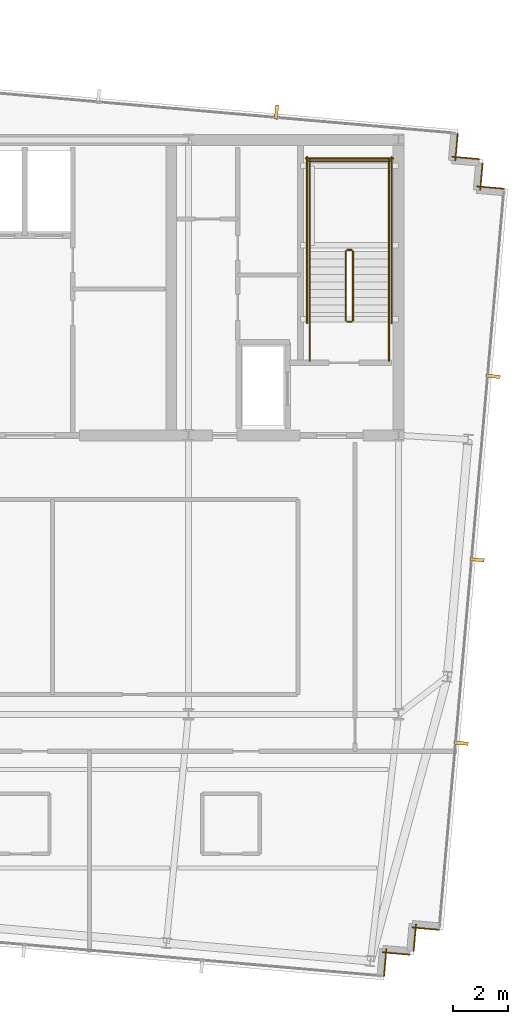
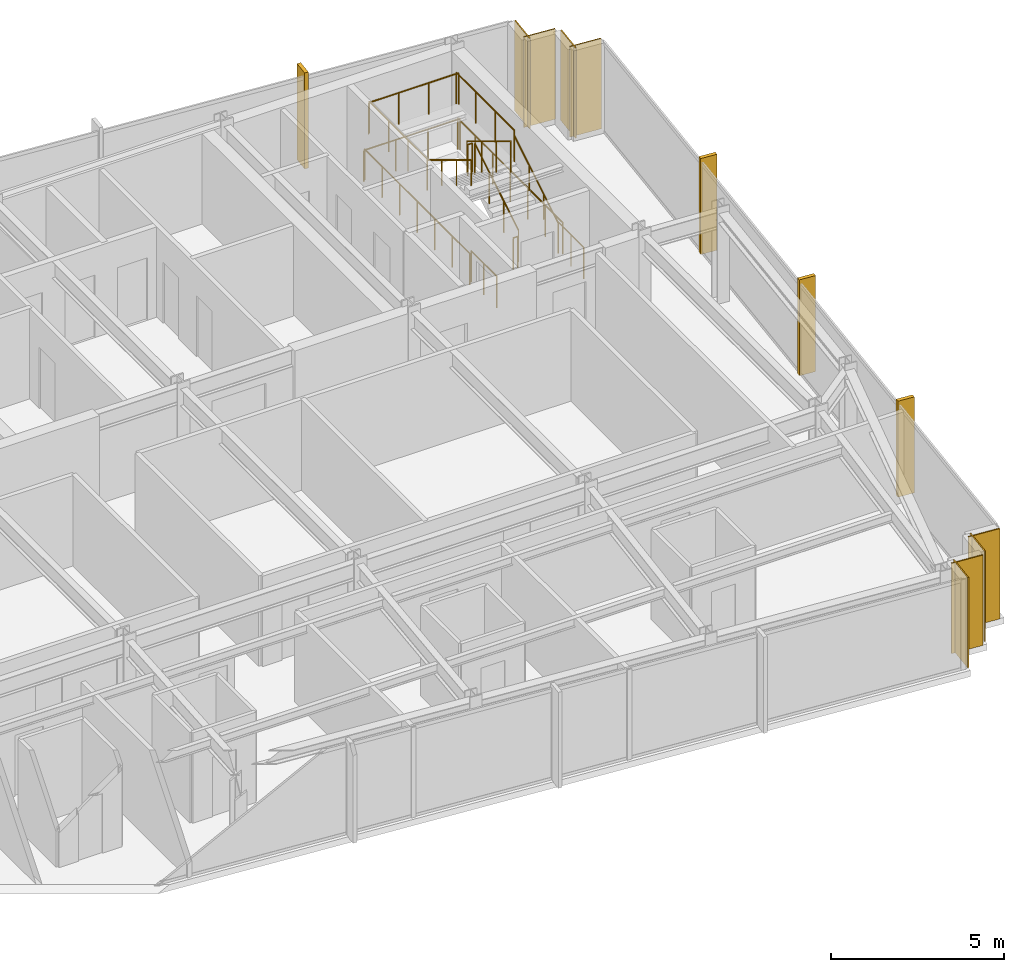
# One storey, part 32 of 33: 14 railings, 8 coverings, 4 shading devices.
"""IFC4 building model written with IfcOpenShell, lengths in metres."""

import ifcopenshell
import ifcopenshell.guid

model = None  # the IFC model being written
_history = None  # IfcOwnerHistory: only IFC2X3 demands one
_inside = {}  # id of a spatial element -> (the spatial element, [elements in it])
_under = {}  # id of a project, library or spatial element -> (it, [spatial elements below it])
_declared = {}  # id of a project -> (the project, [libraries it declares])
_typed = {}  # id of a type object -> (the type object, [elements of that type])
_made_of = {}  # id of a material, layer set ... -> (it, [elements and type objects made of it])


def new_model(schema):
    """Start an empty IFC model of exactly this schema.

    Asked for "IFC4X3", IfcOpenShell would pick the latest addendum, in which some entities
    have other attributes; the version numbers below select the first issue.
    IFC2X3 requires an IfcOwnerHistory on every rooted entity: one is made here for all.
    """
    global model, _history
    if schema == "IFC4X3":
        model = ifcopenshell.file(schema_version=(4, 3, 0, 0))
    else:
        model = ifcopenshell.file(schema=schema)
    _inside.clear()
    _under.clear()
    _declared.clear()
    _typed.clear()
    _made_of.clear()
    _history = None
    if model.schema == "IFC2X3":
        org = make("IfcOrganization", Name="unknown")
        user = make(
            "IfcPersonAndOrganization",
            ThePerson=make("IfcPerson", FamilyName="unknown"),
            TheOrganization=org,
        )
        app = make(
            "IfcApplication",
            ApplicationDeveloper=org,
            Version="unknown",
            ApplicationFullName="unknown",
            ApplicationIdentifier="unknown",
        )
        _history = make(
            "IfcOwnerHistory",
            OwningUser=user,
            OwningApplication=app,
            ChangeAction="ADDED",
            CreationDate=0,
        )
    return model


def make(cls, **values):
    """One entity of the class cls with the attributes given. An attribute that is None is left unset."""
    return model.create_entity(
        cls, **{name: value for name, value in values.items() if value is not None}
    )


def rooted(cls, **values):
    """An entity with a GlobalId (a new one), such as an element, a storey or a relation."""
    return make(cls, GlobalId=ifcopenshell.guid.new(), OwnerHistory=_history, **values)


def si_unit(unit_type, name, prefix=None):
    """IfcSIUnit, for example si_unit("LENGTHUNIT", "METRE", prefix="MILLI")."""
    return make("IfcSIUnit", UnitType=unit_type, Prefix=prefix, Name=name)


def assignment(units):
    """IfcUnitAssignment: the units of a project."""
    return None if units is None else make("IfcUnitAssignment", Units=units)


def point(xyz):
    """IfcCartesianPoint."""
    return None if xyz is None else make("IfcCartesianPoint", Coordinates=xyz)


def direction(xyz):
    """IfcDirection."""
    return None if xyz is None else make("IfcDirection", DirectionRatios=xyz)


def frame(location, z_axis=None, x_axis=None):
    """IfcAxis2Placement3D, a coordinate frame: its origin and axes. An axis left out is left unset."""
    return make(
        "IfcAxis2Placement3D",
        Location=point(location),
        Axis=direction(z_axis),
        RefDirection=direction(x_axis),
    )


def frame_2d(location, x_axis=None):
    """IfcAxis2Placement2D, a coordinate frame in the plane: its origin and x axis."""
    return make(
        "IfcAxis2Placement2D", Location=point(location), RefDirection=direction(x_axis)
    )


def origin():
    """The frame at (0, 0, 0) with its axes left unset."""
    return frame((0.0, 0.0, 0.0))


def origin_2d():
    """The frame at (0, 0) in the plane with its x axis left unset."""
    return frame_2d((0.0, 0.0))


def place(relative_to, where):
    """IfcLocalPlacement: puts the frame where relative to a parent placement (None: the world)."""
    return make(
        "IfcLocalPlacement", PlacementRelTo=relative_to, RelativePlacement=where
    )


def context(
    kind, dimensions, precision=None, world=None, true_north=None, identifier=None
):
    """IfcGeometricRepresentationContext, for example the 3D "Model" context."""
    return make(
        "IfcGeometricRepresentationContext",
        ContextIdentifier=identifier,
        ContextType=kind,
        CoordinateSpaceDimension=dimensions,
        Precision=precision,
        WorldCoordinateSystem=world,
        TrueNorth=true_north,
    )


def subcontext(parent, identifier, kind, view, scale=None):
    """IfcGeometricRepresentationSubContext, for example "Body" below "Model"."""
    return make(
        "IfcGeometricRepresentationSubContext",
        ContextIdentifier=identifier,
        ContextType=kind,
        ParentContext=parent,
        TargetScale=scale,
        TargetView=view,
    )


def project(units=None, contexts=None):
    """IfcProject with its units and contexts."""
    return rooted(
        "IfcProject",
        Name="project",
        RepresentationContexts=contexts,
        UnitsInContext=assignment(units),
    )


def spatial(cls, under=None, at=None, **own):
    """A site, building, storey or space (cls), placed at a placement, below another one or the project."""
    s = rooted(cls, ObjectPlacement=at, **own)
    if under is not None:
        _under.setdefault(under.id(), (under, []))[1].append(s)
    return s


def profile(cls, at=None, kind="AREA", **sizes):
    """A parametric profile (cls). Its sizes go by their IFC names, for example OverallWidth=200.0."""
    return make(cls, ProfileType=kind, Position=at, **sizes)


def rectangle(**sizes):
    """IfcRectangleProfileDef."""
    return profile("IfcRectangleProfileDef", **sizes)


def circle(**sizes):
    """IfcCircleProfileDef."""
    return profile("IfcCircleProfileDef", **sizes)


def extrude(swept, where, along, depth):
    """IfcExtrudedAreaSolid: the profile swept, set in the frame where, extruded along a direction by depth."""
    return make(
        "IfcExtrudedAreaSolid",
        SweptArea=swept,
        Position=where,
        ExtrudedDirection=direction(along),
        Depth=depth,
    )


def shape(context_of_items, identifier, shape_type, items):
    """IfcShapeRepresentation: the items that make up one representation, for example the "Body"."""
    return make(
        "IfcShapeRepresentation",
        ContextOfItems=context_of_items,
        RepresentationIdentifier=identifier,
        RepresentationType=shape_type,
        Items=items,
    )


def material(Name=None, Category=None):
    """IfcMaterial."""
    return make("IfcMaterial", Name=Name, Category=Category)


def layer(
    of_material, thickness, ventilated=None, Name=None, Category=None, Priority=None
):
    """IfcMaterialLayer: one layer of a wall or slab, of a material (None: an air gap)."""
    return make(
        "IfcMaterialLayer",
        Material=of_material,
        LayerThickness=thickness,
        IsVentilated=ventilated,
        Name=Name,
        Category=Category,
        Priority=Priority,
    )


def layer_set(layers, Name=None):
    """IfcMaterialLayerSet."""
    return make("IfcMaterialLayerSet", MaterialLayers=layers, LayerSetName=Name)


def made_of(thing, what):
    """Note that an element or type object is made of a material, layer set ...; save() writes the relation."""
    if what is not None:
        _made_of.setdefault(what.id(), (what, []))[1].append(thing)
    return thing


def type_object(cls, material=None, **own):
    """A type object (cls), such as IfcWallType, which elements share."""
    return made_of(rooted(cls, **own), material)


def element(
    cls,
    number,
    at=None,
    inside=None,
    cuts=None,
    type_object=None,
    material=None,
    context=None,
    identifier="Body",
    shape_type=None,
    held_by="IfcProductDefinitionShape",
    body=None,
    shapes=None,
    **own,
):
    """One element of the class cls, such as IfcWall. Its Tag is "e" and its number.

    at: its placement. inside: the storey or other place that contains it. cuts: it is an
    opening in that element (IfcRelVoidsElement). A single representation is given by context,
    identifier, shape_type and body (its items); several are given by shapes. held_by: the class
    of the entity that holds the representations. save() writes the other relations.
    """
    e = rooted(cls, Tag="e%d" % number, ObjectPlacement=at, **own)
    if body is not None:
        shapes = [shape(context, identifier, shape_type, body)]
    if shapes is not None:
        e.Representation = make(held_by, Representations=shapes)
    if inside is not None:
        _inside.setdefault(inside.id(), (inside, []))[1].append(e)
    if cuts is not None:
        rooted(
            "IfcRelVoidsElement", RelatingBuildingElement=cuts, RelatedOpeningElement=e
        )
    if type_object is not None:
        _typed.setdefault(type_object.id(), (type_object, []))[1].append(e)
    return made_of(e, material)


def aggregate(whole, parts):
    """IfcRelAggregates: a whole, such as a stair, and the parts it consists of."""
    return rooted("IfcRelAggregates", RelatingObject=whole, RelatedObjects=parts)


def save(model, path):
    """Write the relations noted so far, then the file.

    IfcRelAggregates (storeys below a building ...), IfcRelContainedInSpatialStructure (elements
    in a storey), IfcRelDefinesByType, IfcRelAssociatesMaterial and IfcRelDeclares: one each for
    every whole, place, type object, material and project.
    """
    for whole, parts in _under.values():
        aggregate(whole, parts)
    for where, things in _inside.values():
        rooted(
            "IfcRelContainedInSpatialStructure",
            RelatedElements=things,
            RelatingStructure=where,
        )
    for kind, things in _typed.values():
        rooted("IfcRelDefinesByType", RelatedObjects=things, RelatingType=kind)
    for what, things in _made_of.values():
        rooted("IfcRelAssociatesMaterial", RelatedObjects=things, RelatingMaterial=what)
    for by, libraries in _declared.values():
        rooted("IfcRelDeclares", RelatingContext=by, RelatedDefinitions=libraries)
    model.write(path)


model = new_model("IFC4")

# Units and contexts
model_context = context("Model", 3, precision=1e-05, world=origin(), true_north=direction((0.0, 1.0)))
body_context = subcontext(model_context, "Body", "Model", "MODEL_VIEW")
ifc_project = project(units=[si_unit("LENGTHUNIT", "METRE"), si_unit("AREAUNIT", "SQUARE_METRE"), si_unit("VOLUMEUNIT", "CUBIC_METRE"), si_unit("PLANEANGLEUNIT", "RADIAN"), si_unit("MASSUNIT", "GRAM", prefix="KILO")], contexts=[model_context])

# Site, building, storey
site_placement = place(None, origin())
site = spatial("IfcSite", under=ifc_project, at=site_placement, CompositionType="ELEMENT")
building_placement = place(site_placement, origin())
building = spatial("IfcBuilding", under=site, at=building_placement, Name="Yelkora Congress Tower", CompositionType="ELEMENT")
storey_placement = place(building_placement, frame((0.0, 0.0, 286.300048828125)))
storey = spatial("IfcBuildingStorey", under=building, at=storey_placement, Name="L80", CompositionType="ELEMENT", Elevation=286.300048828125)

# Coverings
ifc_material_1 = material(Name="Anatolian bush-hammered limestone", Category="masonry")
ifc_layer_1 = layer(ifc_material_1, 0.0400390625)
ifc_layer_set_1 = layer_set([ifc_layer_1], Name="Anatolian bush-hammered limestone")
covering_type = type_object("IfcCoveringType", Name="COV-CLAD-SPANDREL-40", PredefinedType="CLADDING", material=ifc_layer_set_1)
for number, where, z_axis, x_axis, name in (
    (1, (55.92041015625, 46.431396484375, 0.0), (0.0, 0.0, 1.0), (-0.086903493655, -0.996216734848, 0.0), "L80 Anatolian Limestone Cladding EW-L80-SR11"),
    (2, (55.710693359375, 45.581298828125, 0.0), (0.0, 0.0, 1.0), (0.996193717496, -0.087166950281, 0.0), "L80 Anatolian Limestone Cladding EW-L80-SR12"),
    (3, (56.82958984375, 45.347900390625, 0.0), (0.0, 0.0, 1.0), (-0.087166950281, -0.996193717496, 0.0), "L80 Anatolian Limestone Cladding EW-L80-SR13"),
):
    element("IfcCovering", number, at=place(storey_placement, frame(where, z_axis=z_axis, x_axis=x_axis)), inside=storey, type_object=covering_type, Name=name, PredefinedType="CLADDING", context=body_context, shape_type="SweptSolid", body=[
        extrude(rectangle(XDim=1.0, YDim=0.0400390625, at=frame_2d((0.5, 0.0))), origin(), (0.0, 0.0, 1.0), 3.179931640625),
    ])
covering_1_placement = place(storey_placement, frame((56.61962890625, 44.498046875, 0.0), z_axis=(0.0, 0.0, 1.0), x_axis=(0.996195572005, -0.087145753297, 0.0)))
element("IfcCovering", 4, at=covering_1_placement, inside=storey, type_object=covering_type, Name="L80 Anatolian Limestone Cladding EW-L80-SR14", PredefinedType="CLADDING", context=body_context, shape_type="SweptSolid", body=[
    extrude(rectangle(XDim=1.000244140625, YDim=0.0400390625, at=frame_2d((0.5, 0.0))), origin(), (0.0, 0.0, 1.0), 3.179931640625),
])
for number, where, z_axis, x_axis, name in (
    (5, (55.24609375, 17.32421875, 0.0), (0.0, 0.0, 1.0), (-0.99617248636, 0.08740925248, 0.0), "L80 Anatolian Limestone Cladding EW-L80-SR16"),
    (6, (54.396240234375, 17.5341796875, 0.0), (0.0, 0.0, 1.0), (-0.087166950281, -0.996193717496, 0.0), "L80 Anatolian Limestone Cladding EW-L80-SR17"),
):
    element("IfcCovering", number, at=place(storey_placement, frame(where, z_axis=z_axis, x_axis=x_axis)), inside=storey, type_object=covering_type, Name=name, PredefinedType="CLADDING", context=body_context, shape_type="SweptSolid", body=[
        extrude(rectangle(XDim=1.0, YDim=0.0400390625, at=frame_2d((0.5, 0.0))), origin(), (0.0, 0.0, 1.0), 3.179931640625),
    ])
covering_2_placement = place(storey_placement, frame((54.162841796875, 16.415283203125, 0.0), z_axis=(0.0, 0.0, 1.0), x_axis=(-0.996195572005, 0.087145753297, 0.0)))
element("IfcCovering", 7, at=covering_2_placement, inside=storey, type_object=covering_type, Name="L80 Anatolian Limestone Cladding EW-L80-SR18", PredefinedType="CLADDING", context=body_context, shape_type="SweptSolid", body=[
    extrude(rectangle(XDim=1.000244140625, YDim=0.0400390625, at=frame_2d((0.5, 0.0))), origin(), (0.0, 0.0, 1.0), 3.179931640625),
])
covering_3_placement = place(storey_placement, frame((53.312744140625, 16.625, 0.0), z_axis=(0.0, 0.0, 1.0), x_axis=(-0.087166950281, -0.996193717496, 0.0)))
element("IfcCovering", 8, at=covering_3_placement, inside=storey, type_object=covering_type, Name="L80 Anatolian Limestone Cladding EW-L80-SR19", PredefinedType="CLADDING", context=body_context, shape_type="SweptSolid", body=[
    extrude(rectangle(XDim=1.0, YDim=0.0400390625, at=frame_2d((0.5, 0.0))), origin(), (0.0, 0.0, 1.0), 3.179931640625),
])

# Railings
ifc_material_2 = material(Name="Painted galvanised steel stair well guard with vertical infill", Category="steel")
ifc_layer_2 = layer(ifc_material_2, 0.06005859375)
ifc_layer_set_2 = layer_set([ifc_layer_2], Name="Painted galvanised steel stair well guard with vertical infill")
railing_type_1 = type_object("IfcRailingType", Name="RAIL-STAIR-GUARD-1120", PredefinedType="GUARDRAIL", material=ifc_layer_set_2)
railing_1_placement = place(storey_placement, frame((52.090087890625, 39.60009765625, 0.169921875)))
element("IfcRailing", 9, at=railing_1_placement, inside=storey, type_object=railing_type_1, Name="ST-02 L80 Stair Well Guardrail 1", PredefinedType="GUARDRAIL", context=body_context, shape_type="SweptSolid", body=[
    extrude(circle(Radius=0.02392578125, at=origin_2d()), frame((0.0, 0.0, 1.09619140625), z_axis=(0.0, 0.85478489116, 0.518982456201), x_axis=(-1.0, 0.0, 0.0)), (0.0, 0.0, 1.0), 2.9482421875),
    extrude(circle(Radius=0.02099609375, at=origin_2d()), origin(), (0.0, 0.0, 1.0), 1.072021484375),
    extrude(circle(Radius=0.02099609375, at=origin_2d()), frame((0.0, 0.840087890625, 0.510009765625)), (0.0, 0.0, 1.0), 1.072021484375),
    extrude(circle(Radius=0.02099609375, at=origin_2d()), frame((0.0, 1.679931640625, 1.02001953125)), (0.0, 0.0, 1.0), 1.072021484375),
    extrude(circle(Radius=0.02099609375, at=origin_2d()), frame((0.0, 2.52001953125, 1.530029296875)), (0.0, 0.0, 1.0), 1.072021484375),
])
railing_2_placement = place(storey_placement, frame((52.0400390625, 42.169921875, 1.699951171875)))
element("IfcRailing", 10, at=railing_2_placement, inside=storey, type_object=railing_type_1, Name="ST-02 L80 Stair Well Guardrail 2", PredefinedType="GUARDRAIL", context=body_context, shape_type="SweptSolid", body=[
    extrude(circle(Radius=0.02392578125, at=origin_2d()), frame((0.0, 0.0, 1.09619140625), z_axis=(-1.0, 0.0, 0.0), x_axis=(0.0, -1.0, 0.0)), (0.0, 0.0, 1.0), 0.16015625),
    extrude(circle(Radius=0.02099609375, at=origin_2d()), origin(), (0.0, 0.0, 1.0), 1.072021484375),
    extrude(circle(Radius=0.02099609375, at=origin_2d()), frame((-0.16015625, 0.0, 0.0)), (0.0, 0.0, 1.0), 1.072021484375),
])
for number, where, name in (
    (11, (53.409912109375, 42.1201171875, 1.699951171875), "ST-02 L80 Stair Well Guardrail 3"),
    (12, (50.510009765625, 42.1201171875, 1.699951171875), "ST-02 L80 Stair Well Guardrail 4"),
):
    element("IfcRailing", number, at=place(storey_placement, frame(where)), inside=storey, type_object=railing_type_1, Name=name, PredefinedType="GUARDRAIL", context=body_context, shape_type="SweptSolid", body=[
        extrude(circle(Radius=0.02392578125, at=origin_2d()), frame((0.0, 0.0, 1.09619140625), z_axis=(0.0, 1.0, 0.0), x_axis=(-1.0, 0.0, 0.0)), (0.0, 0.0, 1.0), 3.349853515625),
        extrude(circle(Radius=0.02099609375, at=origin_2d()), origin(), (0.0, 0.0, 1.0), 1.072021484375),
        extrude(circle(Radius=0.02099609375, at=origin_2d()), frame((0.0, 1.11669921875, 0.0)), (0.0, 0.0, 1.0), 1.072021484375),
        extrude(circle(Radius=0.02099609375, at=origin_2d()), frame((0.0, 2.233154296875, 0.0)), (0.0, 0.0, 1.0), 1.072021484375),
        extrude(circle(Radius=0.02099609375, at=origin_2d()), frame((0.0, 3.349853515625, 0.0)), (0.0, 0.0, 1.0), 1.072021484375),
    ])
railing_3_placement = place(storey_placement, frame((53.4599609375, 45.419921875, 1.699951171875)))
element("IfcRailing", 13, at=railing_3_placement, inside=storey, type_object=railing_type_1, Name="ST-02 L80 Stair Well Guardrail 5", PredefinedType="GUARDRAIL", context=body_context, shape_type="SweptSolid", body=[
    extrude(circle(Radius=0.02392578125, at=origin_2d()), frame((0.0, 0.0, 1.09619140625), z_axis=(-1.0, 0.0, 0.0), x_axis=(0.0, -1.0, 0.0)), (0.0, 0.0, 1.0), 3.0),
    extrude(circle(Radius=0.02099609375, at=origin_2d()), origin(), (0.0, 0.0, 1.0), 1.072021484375),
    extrude(circle(Radius=0.02099609375, at=origin_2d()), frame((-1.0, 0.0, 0.0)), (0.0, 0.0, 1.0), 1.072021484375),
    extrude(circle(Radius=0.02099609375, at=origin_2d()), frame((-2.0, 0.0, 0.0)), (0.0, 0.0, 1.0), 1.072021484375),
    extrude(circle(Radius=0.02099609375, at=origin_2d()), frame((-3.0, 0.0, 0.0)), (0.0, 0.0, 1.0), 1.072021484375),
])
railing_4_placement = place(storey_placement, frame((51.830078125, 42.1201171875, 1.869873046875)))
element("IfcRailing", 14, at=railing_4_placement, inside=storey, type_object=railing_type_1, Name="ST-02 L80 Stair Well Guardrail 6", PredefinedType="GUARDRAIL", context=body_context, shape_type="SweptSolid", body=[
    extrude(circle(Radius=0.02392578125, at=origin_2d()), frame((0.0, 0.0, 1.09619140625), z_axis=(0.0, -0.85478489116, 0.518982456201), x_axis=(1.0, 0.0, 0.0)), (0.0, 0.0, 1.0), 2.9482421875),
    extrude(circle(Radius=0.02099609375, at=origin_2d()), origin(), (0.0, 0.0, 1.0), 1.072021484375),
    extrude(circle(Radius=0.02099609375, at=origin_2d()), frame((0.0, -0.840087890625, 0.510009765625)), (0.0, 0.0, 1.0), 1.072021484375),
    extrude(circle(Radius=0.02099609375, at=origin_2d()), frame((0.0, -1.679931640625, 1.02001953125)), (0.0, 0.0, 1.0), 1.072021484375),
    extrude(circle(Radius=0.02099609375, at=origin_2d()), frame((0.0, -2.52001953125, 1.530029296875)), (0.0, 0.0, 1.0), 1.072021484375),
])
railing_5_placement = place(storey_placement, frame((52.0400390625, 39.550048828125, 0.0)))
element("IfcRailing", 15, at=railing_5_placement, inside=storey, type_object=railing_type_1, Name="ST-02 L80 Stair Well Guardrail 7", PredefinedType="GUARDRAIL", context=body_context, shape_type="SweptSolid", body=[
    extrude(circle(Radius=0.02392578125, at=origin_2d()), frame((0.0, 0.0, 1.09619140625), z_axis=(-1.0, 0.0, 0.0), x_axis=(0.0, -1.0, 0.0)), (0.0, 0.0, 1.0), 0.16015625),
    extrude(circle(Radius=0.02099609375, at=origin_2d()), origin(), (0.0, 0.0, 1.0), 1.072021484375),
    extrude(circle(Radius=0.02099609375, at=origin_2d()), frame((-0.16015625, 0.0, 0.0)), (0.0, 0.0, 1.0), 1.072021484375),
])
for number, where, name in (
    (16, (53.409912109375, 38.1201171875, 0.0), "ST-02 L80 Stair Well Guardrail 8"),
    (17, (50.510009765625, 38.1201171875, 0.0), "ST-02 L80 Stair Well Guardrail 9"),
):
    element("IfcRailing", number, at=place(storey_placement, frame(where)), inside=storey, type_object=railing_type_1, Name=name, PredefinedType="GUARDRAIL", context=body_context, shape_type="SweptSolid", body=[
        extrude(circle(Radius=0.02392578125, at=origin_2d()), frame((0.0, 0.0, 1.09619140625), z_axis=(0.0, 1.0, 0.0), x_axis=(-1.0, 0.0, 0.0)), (0.0, 0.0, 1.0), 1.47998046875),
        extrude(circle(Radius=0.02099609375, at=origin_2d()), origin(), (0.0, 0.0, 1.0), 1.072021484375),
        extrude(circle(Radius=0.02099609375, at=origin_2d()), frame((0.0, 0.739990234375, 0.0)), (0.0, 0.0, 1.0), 1.072021484375),
        extrude(circle(Radius=0.02099609375, at=origin_2d()), frame((0.0, 1.47998046875, 0.0)), (0.0, 0.0, 1.0), 1.072021484375),
    ])
for number, where, name in (
    (18, (53.510009765625, 39.5, 0.0), "ST-02 L80 Stair Well Guardrail 10"),
    (19, (50.409912109375, 39.5, 0.0), "ST-02 L80 Stair Well Guardrail 11"),
):
    element("IfcRailing", number, at=place(storey_placement, frame(where)), inside=storey, type_object=railing_type_1, Name=name, PredefinedType="GUARDRAIL", context=body_context, shape_type="SweptSolid", body=[
        extrude(circle(Radius=0.02392578125, at=origin_2d()), frame((0.0, 0.0, 1.09619140625), z_axis=(0.0, 1.0, 0.0), x_axis=(-1.0, 0.0, 0.0)), (0.0, 0.0, 1.0), 6.070068359375),
        extrude(circle(Radius=0.02099609375, at=origin_2d()), origin(), (0.0, 0.0, 1.0), 1.072021484375),
        extrude(circle(Radius=0.02099609375, at=origin_2d()), frame((0.0, 1.01171875, 0.0)), (0.0, 0.0, 1.0), 1.072021484375),
        extrude(circle(Radius=0.02099609375, at=origin_2d()), frame((0.0, 2.0234375, 0.0)), (0.0, 0.0, 1.0), 1.072021484375),
        extrude(circle(Radius=0.02099609375, at=origin_2d()), frame((0.0, 3.03515625, 0.0)), (0.0, 0.0, 1.0), 1.072021484375),
        extrude(circle(Radius=0.02099609375, at=origin_2d()), frame((0.0, 4.046630859375, 0.0)), (0.0, 0.0, 1.0), 1.072021484375),
        extrude(circle(Radius=0.02099609375, at=origin_2d()), frame((0.0, 5.058349609375, 0.0)), (0.0, 0.0, 1.0), 1.072021484375),
        extrude(circle(Radius=0.02099609375, at=origin_2d()), frame((0.0, 6.070068359375, 0.0)), (0.0, 0.0, 1.0), 1.072021484375),
    ])
railing_6_placement = place(storey_placement, frame((53.56005859375, 45.52001953125, 0.0)))
element("IfcRailing", 20, at=railing_6_placement, inside=storey, type_object=railing_type_1, Name="ST-02 L80 Stair Well Guardrail 12", PredefinedType="GUARDRAIL", context=body_context, shape_type="SweptSolid", body=[
    extrude(circle(Radius=0.02392578125, at=origin_2d()), frame((0.0, 0.0, 1.09619140625), z_axis=(-1.0, 0.0, 0.0), x_axis=(0.0, -1.0, 0.0)), (0.0, 0.0, 1.0), 3.199951171875),
    extrude(circle(Radius=0.02099609375, at=origin_2d()), origin(), (0.0, 0.0, 1.0), 1.072021484375),
    extrude(circle(Radius=0.02099609375, at=origin_2d()), frame((-1.066650390625, 0.0, 0.0)), (0.0, 0.0, 1.0), 1.072021484375),
    extrude(circle(Radius=0.02099609375, at=origin_2d()), frame((-2.13330078125, 0.0, 0.0)), (0.0, 0.0, 1.0), 1.072021484375),
    extrude(circle(Radius=0.02099609375, at=origin_2d()), frame((-3.199951171875, 0.0, 0.0)), (0.0, 0.0, 1.0), 1.072021484375),
])
ifc_material_3 = material(Name="Brushed stainless steel tubular handrail", Category="steel")
ifc_layer_3 = layer(ifc_material_3, 0.050048828125)
ifc_layer_set_3 = layer_set([ifc_layer_3], Name="Brushed stainless steel tubular handrail")
railing_type_2 = type_object("IfcRailingType", Name="RAIL-STAIR-HAND-920", PredefinedType="HANDRAIL", material=ifc_layer_set_3)
railing_7_placement = place(storey_placement, frame((53.409912109375, 39.60009765625, 0.169921875)))
element("IfcRailing", 21, at=railing_7_placement, inside=storey, type_object=railing_type_2, Name="ST-02 L80 Pitch Handrail 1", PredefinedType="HANDRAIL", context=body_context, shape_type="SweptSolid", body=[
    extrude(circle(Radius=0.02392578125, at=origin_2d()), frame((0.0, 0.0, 0.89599609375), z_axis=(0.0, 0.85478489116, 0.518982456201), x_axis=(-1.0, 0.0, 0.0)), (0.0, 0.0, 1.0), 2.9482421875),
    extrude(circle(Radius=0.02099609375, at=origin_2d()), origin(), (0.0, 0.0, 1.0), 0.871826171875),
    extrude(circle(Radius=0.02099609375, at=origin_2d()), frame((0.0, 0.840087890625, 0.510009765625)), (0.0, 0.0, 1.0), 0.871826171875),
    extrude(circle(Radius=0.02099609375, at=origin_2d()), frame((0.0, 1.679931640625, 1.02001953125)), (0.0, 0.0, 1.0), 0.871826171875),
    extrude(circle(Radius=0.02099609375, at=origin_2d()), frame((0.0, 2.52001953125, 1.530029296875)), (0.0, 0.0, 1.0), 0.871826171875),
])
railing_8_placement = place(storey_placement, frame((50.510009765625, 42.1201171875, 1.869873046875)))
element("IfcRailing", 22, at=railing_8_placement, inside=storey, type_object=railing_type_2, Name="ST-02 L80 Pitch Handrail 2", PredefinedType="HANDRAIL", context=body_context, shape_type="SweptSolid", body=[
    extrude(circle(Radius=0.02392578125, at=origin_2d()), frame((0.0, 0.0, 0.89599609375), z_axis=(0.0, -0.85478489116, 0.518982456201), x_axis=(1.0, 0.0, 0.0)), (0.0, 0.0, 1.0), 2.9482421875),
    extrude(circle(Radius=0.02099609375, at=origin_2d()), origin(), (0.0, 0.0, 1.0), 0.871826171875),
    extrude(circle(Radius=0.02099609375, at=origin_2d()), frame((0.0, -0.840087890625, 0.510009765625)), (0.0, 0.0, 1.0), 0.871826171875),
    extrude(circle(Radius=0.02099609375, at=origin_2d()), frame((0.0, -1.679931640625, 1.02001953125)), (0.0, 0.0, 1.0), 0.871826171875),
    extrude(circle(Radius=0.02099609375, at=origin_2d()), frame((0.0, -2.52001953125, 1.530029296875)), (0.0, 0.0, 1.0), 0.871826171875),
])

# Shading devices
ifc_material_4 = material(Name="Champagne anodised aluminium", Category="aluminium")
ifc_layer_4 = layer(ifc_material_4, 3.300048828125)
ifc_layer_set_4 = layer_set([ifc_layer_4], Name="Champagne anodised aluminium")
shading_device_type = type_object("IfcShadingDeviceType", Name="SHD-FIN-ALU-520", PredefinedType="USERDEFINED", material=ifc_layer_set_4)
for number, where, z_axis, x_axis, name in (
    (23, (49.296875, 47.21142578125, -0.030029296875), (0.0, 0.0, 1.0), (0.996194698092, -0.087155742748, 0.0), "L80 Vertical Anodised Solar Fin 10-6"),
    (24, (57.216796875, 37.554443359375, -0.030029296875), (0.0, 0.0, 1.0), (-0.087155742748, -0.996194698092, 0.0), "L80 Vertical Anodised Solar Fin 15-1"),
    (25, (56.630126953125, 30.85009765625, -0.030029296875), (0.0, 0.0, 1.0), (-0.087155742748, -0.996194698092, 0.0), "L80 Vertical Anodised Solar Fin 15-2"),
    (26, (56.043701171875, 24.145751953125, -0.030029296875), (0.0, 0.0, 1.0), (-0.087155742748, -0.996194698092, 0.0), "L80 Vertical Anodised Solar Fin 15-3"),
):
    element("IfcShadingDevice", number, at=place(storey_placement, frame(where, z_axis=z_axis, x_axis=x_axis)), inside=storey, type_object=shading_device_type, Name=name, ObjectType="FIN", PredefinedType="USERDEFINED", context=body_context, shape_type="SweptSolid", body=[
        extrude(rectangle(XDim=0.1201171875, YDim=0.52001953125, at=origin_2d()), origin(), (0.0, 0.0, 1.0), 3.3798828125),
    ])

save(model, "model.ifc")
